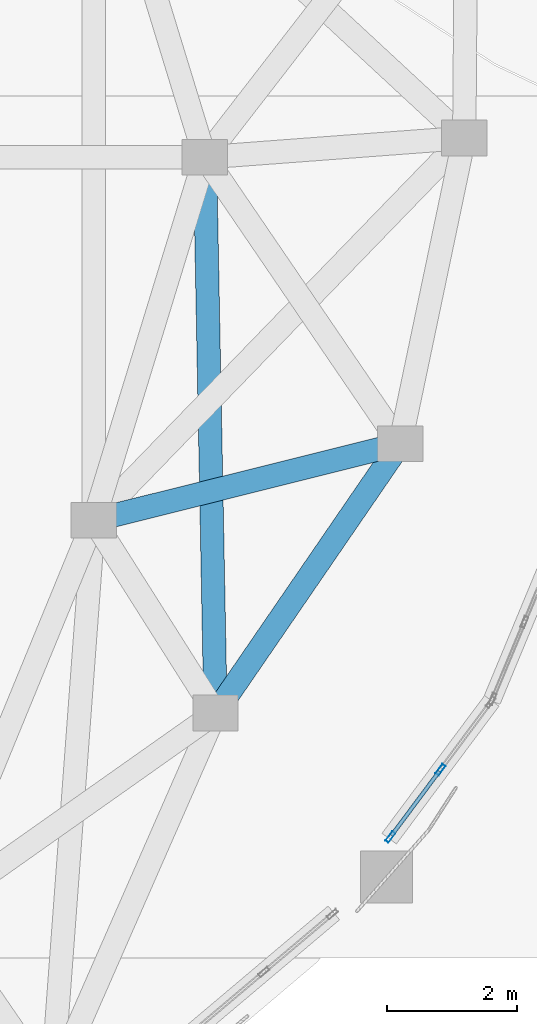
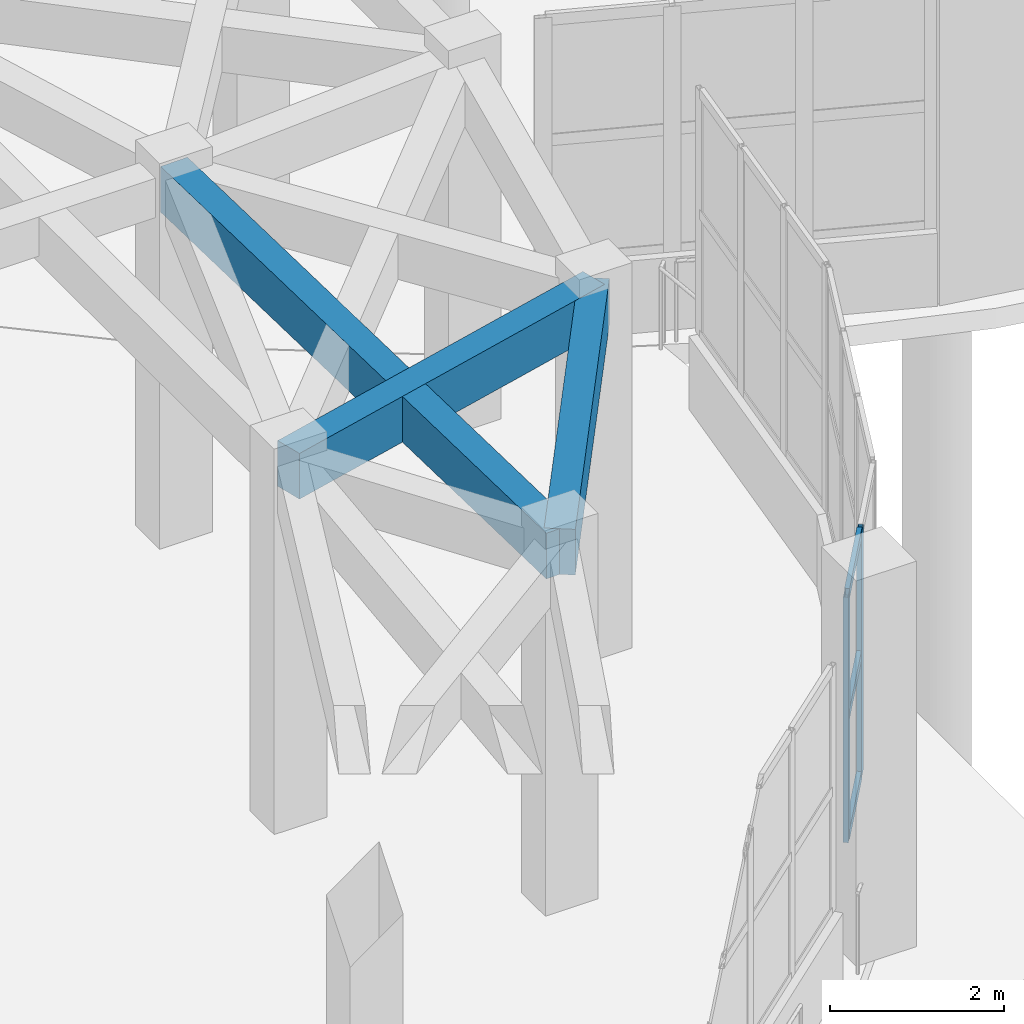
# One storey, part 14 of 96: 5 members, 3 beams, 1 element without a shape of its own.
"""IFC4 building model written with IfcOpenShell, lengths in metres."""

from ifc_helpers import new_model, si_unit, direction, frame, origin, origin_2d, place, context, subcontext, project, spatial, rectangle, hollow_rectangle, extrude, material, layer, layer_set, material_profile, profile_set, type_object, element, aggregate, save


model = new_model("IFC4")

# Units and contexts
model_context = context("Model", 3, precision=1e-05, world=origin(), true_north=direction((0.0, 1.0)))
body_context = subcontext(model_context, "Body", "Model", "MODEL_VIEW")
ifc_project = project(units=[si_unit("LENGTHUNIT", "METRE"), si_unit("AREAUNIT", "SQUARE_METRE"), si_unit("VOLUMEUNIT", "CUBIC_METRE"), si_unit("PLANEANGLEUNIT", "RADIAN"), si_unit("MASSUNIT", "GRAM", prefix="KILO")], contexts=[model_context])

# Site, building, storey
site_placement = place(None, origin())
site = spatial("IfcSite", under=ifc_project, at=site_placement, CompositionType="ELEMENT")
building_placement = place(site_placement, origin())
building = spatial("IfcBuilding", under=site, at=building_placement, Name="Pelvatis Terrace Science Centre", CompositionType="ELEMENT")
storey_placement = place(building_placement, origin())
storey = spatial("IfcBuildingStorey", under=building, at=storey_placement, Name="L00", CompositionType="ELEMENT", Elevation=0.0)

# Curtain wall, members
ifc_material_1 = material(Name="Bronze-anodised aluminium and laminated glass", Category="aluminium")
ifc_layer = layer(ifc_material_1, 0.179931640625)
ifc_layer_set = layer_set([ifc_layer], Name="Bronze-anodised aluminium and laminated glass")
curtain_wall_type = type_object("IfcCurtainWallType", Name="CW-RIBBON-A", PredefinedType="NOTDEFINED", material=ifc_layer_set)
curtain_wall_placement = place(storey_placement, origin())
curtain_wall = element("IfcCurtainWall", 1, at=curtain_wall_placement, inside=storey, type_object=curtain_wall_type, Name="Ribbon curtain wall CW-019 (L00)", PredefinedType="NOTDEFINED")
ifc_material_2 = material(Name="Bronze-anodised aluminium 6063-T6", Category="aluminium")
ifc_material_profile_1 = material_profile(ifc_material_2, hollow_rectangle(XDim=0.06005859375, YDim=0.179931640625, WallThickness=0.00390625, at=origin_2d()), Name="ALU-MUL 60x180")
ifc_profile_set_1 = profile_set([ifc_material_profile_1], Name="Bronze-anodised aluminium 6063-T6")
member_type_1 = type_object("IfcMemberType", Name="CWM-60x180", PredefinedType="MULLION", material=ifc_profile_set_1)
member_1_placement = place(storey_placement, frame((62.460693359375, 24.61572265625, 1.02001953125), z_axis=(0.0, 0.0, 1.0), x_axis=(-0.801975755954, 0.597356582672, 0.0)))
member_1 = element("IfcMember", 2, at=member_1_placement, type_object=member_type_1, Name="CW-019 mullion 1", PredefinedType="MULLION", context=body_context, shape_type="SweptSolid", body=[
    extrude(hollow_rectangle(XDim=0.06005859375, YDim=0.179931640625, WallThickness=0.00390625, at=origin_2d()), origin(), (0.0, 0.0, 1.0), 3.43994140625),
])
member_2_placement = place(storey_placement, frame((63.23388671875, 25.653564453125, 1.02001953125), z_axis=(0.0, 0.0, 1.0), x_axis=(-0.801975755954, 0.597356582672, 0.0)))
member_2 = element("IfcMember", 3, at=member_2_placement, type_object=member_type_1, Name="CW-019 mullion 2", PredefinedType="MULLION", context=body_context, shape_type="SweptSolid", body=[
    extrude(hollow_rectangle(XDim=0.06005859375, YDim=0.179931640625, WallThickness=0.00390625, at=origin_2d()), origin(), (0.0, 0.0, 1.0), 3.43994140625),
])
ifc_material_3 = material(Name="Bronze-anodised aluminium 6063-T6", Category="aluminium")
ifc_material_profile_2 = material_profile(ifc_material_3, hollow_rectangle(XDim=0.06005859375, YDim=0.139892578125, WallThickness=0.00390625, at=origin_2d()), Name="ALU-TRN 60x140")
ifc_profile_set_2 = profile_set([ifc_material_profile_2], Name="Bronze-anodised aluminium 6063-T6")
member_type_2 = type_object("IfcMemberType", Name="CWT-60x140", PredefinedType="USERDEFINED", material=ifc_profile_set_2)
member_3_placement = place(storey_placement, frame((62.478759765625, 24.6396484375, 1.050048828125), z_axis=(0.597274269212, 0.802037061075, 0.0), x_axis=(-0.802037061075, 0.597274269212, 0.0)))
member_3 = element("IfcMember", 4, at=member_3_placement, type_object=member_type_2, Name="CW-019 transom 1.1", ObjectType="TRANSOM", PredefinedType="USERDEFINED", context=body_context, shape_type="SweptSolid", body=[
    extrude(hollow_rectangle(XDim=0.06005859375, YDim=0.139892578125, WallThickness=0.00390625, at=origin_2d()), origin(), (0.0, 0.0, 1.0), 1.234130859375),
])
member_4_placement = place(storey_placement, frame((62.478759765625, 24.6396484375, 2.739990234375), z_axis=(0.597274269212, 0.802037061075, 0.0), x_axis=(-0.802037061075, 0.597274269212, 0.0)))
member_4 = element("IfcMember", 5, at=member_4_placement, type_object=member_type_2, Name="CW-019 transom 1.2", ObjectType="TRANSOM", PredefinedType="USERDEFINED", context=body_context, shape_type="SweptSolid", body=[
    extrude(hollow_rectangle(XDim=0.06005859375, YDim=0.139892578125, WallThickness=0.00390625, at=origin_2d()), origin(), (0.0, 0.0, 1.0), 1.234130859375),
])
member_5_placement = place(storey_placement, frame((62.478759765625, 24.6396484375, 4.429931640625), z_axis=(0.597274269212, 0.802037061075, 0.0), x_axis=(-0.802037061075, 0.597274269212, 0.0)))
member_5 = element("IfcMember", 6, at=member_5_placement, type_object=member_type_2, Name="CW-019 transom 1.3", ObjectType="TRANSOM", PredefinedType="USERDEFINED", context=body_context, shape_type="SweptSolid", body=[
    extrude(hollow_rectangle(XDim=0.06005859375, YDim=0.139892578125, WallThickness=0.00390625, at=origin_2d()), origin(), (0.0, 0.0, 1.0), 1.234130859375),
])
aggregate(curtain_wall, [member_1, member_2, member_3, member_4, member_5])

# Beams
ifc_material_4 = material(Name="Concrete C35/45", Category="concrete")
ifc_material_profile_3 = material_profile(ifc_material_4, rectangle(XDim=0.360107421875, YDim=0.639892578125, at=origin_2d()), Name="RC-SPN 360x640")
ifc_profile_set_3 = profile_set([ifc_material_profile_3], Name="Concrete C35/45")
beam_type = type_object("IfcBeamType", Name="SPN-RC-360x640", PredefinedType="SPANDREL", material=ifc_profile_set_3)
beam_1_placement = place(storey_placement, frame((59.76318359375, 26.529541015625, 4.820068359375), z_axis=(0.565764912988, 0.824566591145, 0.0), x_axis=(-0.824566591145, 0.565764912988, 0.0)))
element("IfcBeam", 7, at=beam_1_placement, inside=storey, type_object=beam_type, Name="Spandrel SP-L00-2363", PredefinedType="SPANDREL", context=body_context, shape_type="SweptSolid", body=[
    extrude(rectangle(XDim=0.360107421875, YDim=0.639892578125, at=origin_2d()), origin(), (0.0, 0.0, 1.0), 5.03369140625),
])
beam_2_placement = place(storey_placement, frame((59.76318359375, 26.529541015625, 4.820068359375), z_axis=(-0.01902518431, 0.999819004801, 0.0), x_axis=(-0.999819004801, -0.01902518431, 0.0)))
element("IfcBeam", 8, at=beam_2_placement, inside=storey, type_object=beam_type, Name="Spandrel SP-L00-2365", PredefinedType="SPANDREL", context=body_context, shape_type="SweptSolid", body=[
    extrude(rectangle(XDim=0.360107421875, YDim=0.639892578125, at=origin_2d()), origin(), (0.0, 0.0, 1.0), 8.572021484375),
])
beam_3_placement = place(storey_placement, frame((62.611083984375, 30.68017578125, 4.820068359375), z_axis=(-0.970207325586, -0.242276175839, 0.0), x_axis=(0.242276175839, -0.970207325586, 0.0)))
element("IfcBeam", 9, at=beam_3_placement, inside=storey, type_object=beam_type, Name="Spandrel SP-L00-2368", PredefinedType="SPANDREL", context=body_context, shape_type="SweptSolid", body=[
    extrude(rectangle(XDim=0.360107421875, YDim=0.639892578125, at=origin_2d()), origin(), (0.0, 0.0, 1.0), 4.87109375),
])

save(model, "model.ifc")
